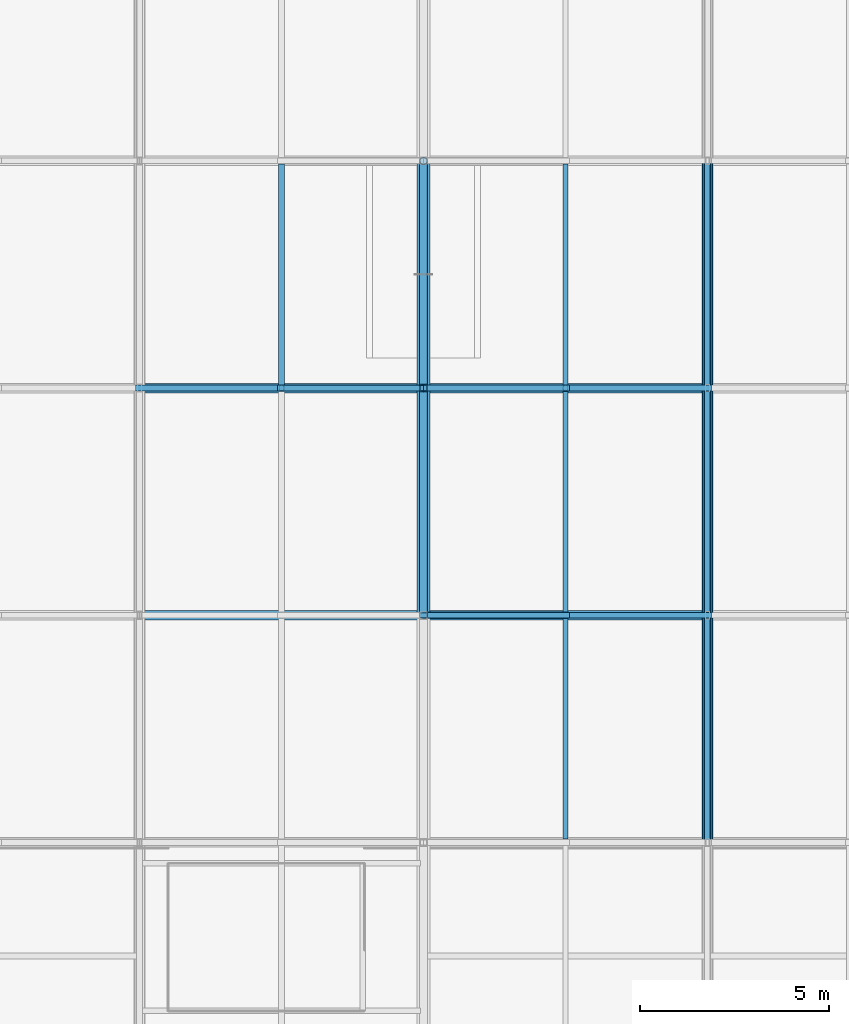
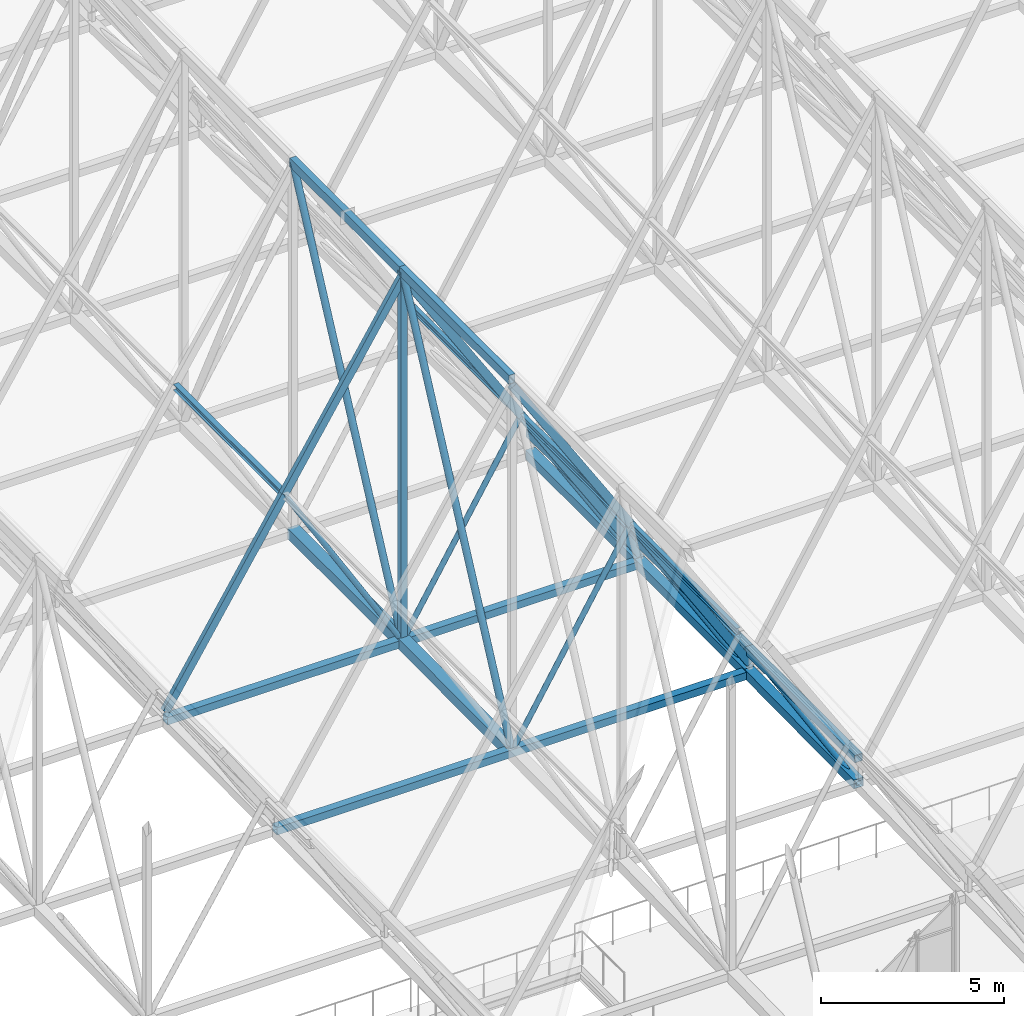
# One storey, part 92 of 324: 27 members, 4 beams.
"""IFC4 building model written with IfcOpenShell, lengths in metres."""

from ifc_helpers import new_model, si_unit, direction, frame, origin, origin_2d, place, context, subcontext, project, spatial, hollow_rectangle, hollow_circle, i_section, extrude, material, material_profile, profile_set, type_object, element, save


model = new_model("IFC4")

# Units and contexts
model_context = context("Model", 3, precision=1e-05, world=origin(), true_north=direction((0.0, 1.0)))
body_context = subcontext(model_context, "Body", "Model", "MODEL_VIEW")
ifc_project = project(units=[si_unit("LENGTHUNIT", "METRE"), si_unit("AREAUNIT", "SQUARE_METRE"), si_unit("VOLUMEUNIT", "CUBIC_METRE"), si_unit("PLANEANGLEUNIT", "RADIAN"), si_unit("MASSUNIT", "GRAM", prefix="KILO")], contexts=[model_context])

# Site, building, storey
site_placement = place(None, origin())
site = spatial("IfcSite", under=ifc_project, at=site_placement, CompositionType="ELEMENT")
building_placement = place(site_placement, origin())
building = spatial("IfcBuilding", under=site, at=building_placement, Name="Solvenia Promenade Tram Depot", CompositionType="ELEMENT")
storey_placement = place(building_placement, frame((0.0, 0.0, 4.5)))
storey = spatial("IfcBuildingStorey", under=building, at=storey_placement, Name="L01", CompositionType="ELEMENT", Elevation=4.5)

# Members
ifc_material_1 = material(Name="Structural steel ASTM A500 Gr. C", Category="steel")
ifc_material_profile_1 = material_profile(ifc_material_1, hollow_circle(Radius=0.109619140625, WallThickness=0.008056640625, at=origin_2d()), Name="CHS219.1x8", Category="steel")
ifc_profile_set_1 = profile_set([ifc_material_profile_1], Name="Structural steel ASTM A500 Gr. C")
member_type_1 = type_object("IfcMemberType", Name="Brace-CHS219x8", PredefinedType="BRACE", material=ifc_profile_set_1)
member_1_placement = place(storey_placement, frame((22.5, 84.0, 2.614013671875), z_axis=(0.0, 0.43482130343, 0.900516759468), x_axis=(-1.0, 0.0, 0.0)))
element("IfcMember", 1, at=member_1_placement, inside=storey, type_object=member_type_1, Name="Arched Truss T04 Web Diagonal S04", PredefinedType="BRACE", context=body_context, shape_type="SweptSolid", body=[
    extrude(hollow_circle(Radius=0.109619140625, WallThickness=0.008056640625, at=origin_2d()), origin(), (0.0, 0.0, 1.0), 13.798828125),
])
member_2_placement = place(storey_placement, frame((22.5, 90.0, 2.656005859375), z_axis=(0.0, 0.436015794582, 0.899939012864), x_axis=(-1.0, 0.0, 0.0)))
element("IfcMember", 2, at=member_2_placement, inside=storey, type_object=member_type_1, Name="Arched Truss T04 Web Diagonal S05", PredefinedType="BRACE", context=body_context, shape_type="SweptSolid", body=[
    extrude(hollow_circle(Radius=0.109619140625, WallThickness=0.008056640625, at=origin_2d()), origin(), (0.0, 0.0, 1.0), 13.760986328125),
])
ifc_material_profile_2 = material_profile(ifc_material_1, hollow_rectangle(XDim=0.14990234375, YDim=0.25, WallThickness=0.010009765625, at=origin_2d()), Name="HSS250x150x10", Category="steel")
ifc_profile_set_2 = profile_set([ifc_material_profile_2], Name="Structural steel ASTM A500 Gr. C")
member_type_2 = type_object("IfcMemberType", Name="Chord-HSS250x150x10", PredefinedType="CHORD", material=ifc_profile_set_2)
member_3_placement = place(storey_placement, frame((22.5, 84.0, 14.83251953125), z_axis=(0.533522444929, 0.0, -0.845785907164), x_axis=(0.0, 1.0, 0.0)))
element("IfcMember", 3, at=member_3_placement, inside=storey, type_object=member_type_2, Name="Zigzag Gable 02 East Upper Rafter", PredefinedType="CHORD", context=body_context, shape_type="SweptSolid", body=[
    extrude(hollow_rectangle(XDim=0.14990234375, YDim=0.25, WallThickness=0.010009765625, at=origin_2d()), origin(), (0.0, 0.0, 1.0), 7.02880859375),
])
for number, where, z_axis, x_axis, name in (
    (4, (26.25, 84.0, 8.8876953125), (0.533506771487, 0.0, -0.845795793781), (0.0, 1.0, 0.0), "Zigzag Gable 02 East Lower Rafter"),
    (5, (15.0, 90.0, 2.942626953125), (0.533506771487, 0.0, 0.845795793781), (0.0, 1.0, 0.0), "Zigzag Gable 02 West Lower Rafter"),
):
    element("IfcMember", number, at=place(storey_placement, frame(where, z_axis=z_axis, x_axis=x_axis)), inside=storey, type_object=member_type_2, Name=name, PredefinedType="CHORD", context=body_context, shape_type="SweptSolid", body=[
        extrude(hollow_rectangle(XDim=0.14990234375, YDim=0.25, WallThickness=0.010009765625, at=origin_2d()), origin(), (0.0, 0.0, 1.0), 7.029052734375),
    ])
for number, where, z_axis, x_axis, name in (
    (6, (18.75, 90.0, 8.8876953125), (0.533522444929, 0.0, 0.845785907164), (0.0, 1.0, 0.0), "Zigzag Gable 02 West Upper Rafter"),
    (7, (22.5, 90.0, 14.83251953125), (0.533522444929, 0.0, -0.845785907164), (0.0, 1.0, 0.0), "Zigzag Gable 02 East Upper Rafter"),
):
    element("IfcMember", number, at=place(storey_placement, frame(where, z_axis=z_axis, x_axis=x_axis)), inside=storey, type_object=member_type_2, Name=name, PredefinedType="CHORD", context=body_context, shape_type="SweptSolid", body=[
        extrude(hollow_rectangle(XDim=0.14990234375, YDim=0.25, WallThickness=0.010009765625, at=origin_2d()), origin(), (0.0, 0.0, 1.0), 7.02880859375),
    ])
member_4_placement = place(storey_placement, frame((26.25, 90.0, 8.8876953125), z_axis=(0.533506771487, 0.0, -0.845795793781), x_axis=(0.0, 1.0, 0.0)))
element("IfcMember", 8, at=member_4_placement, inside=storey, type_object=member_type_2, Name="Zigzag Gable 02 East Lower Rafter", PredefinedType="CHORD", context=body_context, shape_type="SweptSolid", body=[
    extrude(hollow_rectangle(XDim=0.14990234375, YDim=0.25, WallThickness=0.010009765625, at=origin_2d()), origin(), (0.0, 0.0, 1.0), 7.029052734375),
])
ifc_material_profile_3 = material_profile(ifc_material_1, hollow_rectangle(XDim=0.25, YDim=0.25, WallThickness=0.010009765625, at=origin_2d()), Name="HSS250x250x10", Category="steel")
ifc_profile_set_3 = profile_set([ifc_material_profile_3], Name="Structural steel ASTM A500 Gr. C")
member_type_3 = type_object("IfcMemberType", Name="Chord-HSS250x250x10", PredefinedType="CHORD", material=ifc_profile_set_3)
for number, where, z_axis, x_axis, name in (
    (9, (30.0, 78.0, 3.3798828125), (0.0, 1.0, 0.0), (-1.0, 0.0, 0.0), "Arched Truss T05 Upper Chord S03"),
    (10, (30.0, 84.0, 3.3798828125), (0.0, 1.0, 0.0), (-1.0, 0.0, 0.0), "Arched Truss T05 Upper Chord S04"),
    (11, (30.0, 90.0, 3.3798828125), (0.0, 1.0, 0.0), (-1.0, 0.0, 0.0), "Arched Truss T05 Upper Chord S05"),
):
    element("IfcMember", number, at=place(storey_placement, frame(where, z_axis=z_axis, x_axis=x_axis)), inside=storey, type_object=member_type_3, Name=name, PredefinedType="CHORD", context=body_context, shape_type="SweptSolid", body=[
        extrude(hollow_rectangle(XDim=0.25, YDim=0.25, WallThickness=0.010009765625, at=origin_2d()), origin(), (0.0, 0.0, 1.0), 6.0),
    ])
for number, where, z_axis, x_axis, name in (
    (12, (15.0, 84.0, 2.614013671875), (1.0, 0.0, 0.0), (0.0, 1.0, 0.0), "Bottom-Chord Catenary Lateral Tie 012"),
    (13, (15.0, 90.0, 2.656005859375), (1.0, 0.0, 0.0), (0.0, 1.0, 0.0), "Bottom-Chord Catenary Lateral Tie 013"),
):
    element("IfcMember", number, at=place(storey_placement, frame(where, z_axis=z_axis, x_axis=x_axis)), inside=storey, type_object=member_type_3, Name=name, PredefinedType="CHORD", context=body_context, shape_type="SweptSolid", body=[
        extrude(hollow_rectangle(XDim=0.25, YDim=0.25, WallThickness=0.010009765625, at=origin_2d()), origin(), (0.0, 0.0, 1.0), 15.0),
    ])
ifc_material_profile_4 = material_profile(ifc_material_1, hollow_rectangle(XDim=0.199951171875, YDim=0.300048828125, WallThickness=0.012451171875, at=origin_2d()), Name="HSS300x200x12.5", Category="steel")
ifc_profile_set_4 = profile_set([ifc_material_profile_4], Name="Structural steel ASTM A500 Gr. C")
member_type_4 = type_object("IfcMemberType", Name="Chord-HSS300x200x12", PredefinedType="CHORD", material=ifc_profile_set_4)
for number, where, z_axis, x_axis, name in (
    (14, (22.5, 84.0, 15.0400390625), (0.0, 1.0, 0.0), (-1.0, 0.0, 0.0), "Arched Truss T04 Upper Chord S04"),
    (15, (22.5, 90.0, 15.0400390625), (0.0, 1.0, 0.0), (-1.0, 0.0, 0.0), "Arched Truss T04 Upper Chord S05"),
):
    element("IfcMember", number, at=place(storey_placement, frame(where, z_axis=z_axis, x_axis=x_axis)), inside=storey, type_object=member_type_4, Name=name, PredefinedType="CHORD", context=body_context, shape_type="SweptSolid", body=[
        extrude(hollow_rectangle(XDim=0.199951171875, YDim=0.300048828125, WallThickness=0.012451171875, at=origin_2d()), origin(), (0.0, 0.0, 1.0), 6.0),
    ])
ifc_material_profile_5 = material_profile(ifc_material_1, hollow_rectangle(XDim=0.300048828125, YDim=0.300048828125, WallThickness=0.012451171875, at=origin_2d()), Name="HSS300x300x12.5", Category="steel")
ifc_profile_set_5 = profile_set([ifc_material_profile_5], Name="Structural steel ASTM A500 Gr. C")
member_type_5 = type_object("IfcMemberType", Name="Chord-HSS300x300x12", PredefinedType="CHORD", material=ifc_profile_set_5)
member_5_placement = place(storey_placement, frame((30.0, 78.0, 2.5439453125), z_axis=(0.0, 0.999931818432, 0.011677263667), x_axis=(-1.0, 0.0, 0.0)))
element("IfcMember", 16, at=member_5_placement, inside=storey, type_object=member_type_5, Name="Arched Truss T05 Bottom Chord S03", PredefinedType="CHORD", context=body_context, shape_type="SweptSolid", body=[
    extrude(hollow_rectangle(XDim=0.300048828125, YDim=0.300048828125, WallThickness=0.012451171875, at=origin_2d()), origin(), (0.0, 0.0, 1.0), 6.00048828125),
])
member_6_placement = place(storey_placement, frame((30.0, 84.0, 2.614013671875), z_axis=(0.0, 0.999975510013, 0.006998526519), x_axis=(-1.0, 0.0, 0.0)))
element("IfcMember", 17, at=member_6_placement, inside=storey, type_object=member_type_5, Name="Arched Truss T05 Bottom Chord S04", PredefinedType="CHORD", context=body_context, shape_type="SweptSolid", body=[
    extrude(hollow_rectangle(XDim=0.300048828125, YDim=0.300048828125, WallThickness=0.012451171875, at=origin_2d()), origin(), (0.0, 0.0, 1.0), 6.000244140625),
])
member_7_placement = place(storey_placement, frame((30.0, 90.0, 2.656005859375), z_axis=(0.0, 0.999997310351, 0.002319329699), x_axis=(-1.0, 0.0, 0.0)))
element("IfcMember", 18, at=member_7_placement, inside=storey, type_object=member_type_5, Name="Arched Truss T05 Bottom Chord S05", PredefinedType="CHORD", context=body_context, shape_type="SweptSolid", body=[
    extrude(hollow_rectangle(XDim=0.300048828125, YDim=0.300048828125, WallThickness=0.012451171875, at=origin_2d()), origin(), (0.0, 0.0, 1.0), 6.0),
])
ifc_material_profile_6 = material_profile(ifc_material_1, hollow_rectangle(XDim=0.35009765625, YDim=0.35009765625, WallThickness=0.01611328125, at=origin_2d()), Name="HSS350x350x16", Category="steel")
ifc_profile_set_6 = profile_set([ifc_material_profile_6], Name="Structural steel ASTM A500 Gr. C")
member_type_6 = type_object("IfcMemberType", Name="Chord-HSS350x350x16", PredefinedType="CHORD", material=ifc_profile_set_6)
member_8_placement = place(storey_placement, frame((22.5, 84.0, 2.614013671875), z_axis=(0.0, 0.999975510013, 0.006998526519), x_axis=(-1.0, 0.0, 0.0)))
element("IfcMember", 19, at=member_8_placement, inside=storey, type_object=member_type_6, Name="Arched Truss T04 Bottom Chord S04", PredefinedType="CHORD", context=body_context, shape_type="SweptSolid", body=[
    extrude(hollow_rectangle(XDim=0.35009765625, YDim=0.35009765625, WallThickness=0.01611328125, at=origin_2d()), origin(), (0.0, 0.0, 1.0), 6.000244140625),
])
member_9_placement = place(storey_placement, frame((22.5, 90.0, 2.656005859375), z_axis=(0.0, 0.999997310351, 0.002319329699), x_axis=(-1.0, 0.0, 0.0)))
element("IfcMember", 20, at=member_9_placement, inside=storey, type_object=member_type_6, Name="Arched Truss T04 Bottom Chord S05", PredefinedType="CHORD", context=body_context, shape_type="SweptSolid", body=[
    extrude(hollow_rectangle(XDim=0.35009765625, YDim=0.35009765625, WallThickness=0.01611328125, at=origin_2d()), origin(), (0.0, 0.0, 1.0), 6.0),
])
ifc_material_profile_7 = material_profile(ifc_material_1, hollow_rectangle(XDim=0.199951171875, YDim=0.199951171875, WallThickness=0.010009765625, at=origin_2d()), Name="HSS200x200x10", Category="steel")
ifc_profile_set_7 = profile_set([ifc_material_profile_7], Name="Structural steel ASTM A500 Gr. C")
member_type_7 = type_object("IfcMemberType", Name="Post-HSS200x200x10", PredefinedType="POST", material=ifc_profile_set_7)
member_10_placement = place(storey_placement, frame((22.5, 90.0, 2.656005859375), z_axis=(0.0, 0.0, 1.0), x_axis=(1.0, 0.0, 0.0)))
element("IfcMember", 21, at=member_10_placement, inside=storey, type_object=member_type_7, Name="Arched Truss T04 Web Post S04", PredefinedType="POST", context=body_context, shape_type="SweptSolid", body=[
    extrude(hollow_rectangle(XDim=0.199951171875, YDim=0.199951171875, WallThickness=0.010009765625, at=origin_2d()), origin(), (0.0, 0.0, 1.0), 12.384033203125),
])

# Beams
ifc_material_2 = material(Name="Structural steel ASTM A992 Gr. 50", Category="steel")
ifc_material_profile_8 = material_profile(ifc_material_2, i_section(OverallWidth=0.133056640625, OverallDepth=0.20703125, WebThickness=0.005859375, FlangeThickness=0.00830078125, FilletRadius=0.009033203125, at=origin_2d()), Name="W200x27", Category="steel")
ifc_profile_set_8 = profile_set([ifc_material_profile_8], Name="Structural steel ASTM A992 Gr. 50")
beam_type_1 = type_object("IfcBeamType", Name="Purlin-W200x27", PredefinedType="USERDEFINED", material=ifc_profile_set_8)
for number, where, z_axis, x_axis, name in (
    (22, (26.25, 78.0849609375, 8.8857421875), (0.0, 1.0, 0.0), (-1.0, 0.0, 0.0), "Gable Roof Purlin E-0026"),
    (23, (26.25, 84.0849609375, 8.8857421875), (0.0, 1.0, 0.0), (-1.0, 0.0, 0.0), "Gable Roof Purlin E-0028"),
    (24, (26.25, 90.0849609375, 8.8857421875), (0.0, 1.0, 0.0), (-1.0, 0.0, 0.0), "Gable Roof Purlin E-0030"),
):
    element("IfcBeam", number, at=place(storey_placement, frame(where, z_axis=z_axis, x_axis=x_axis)), inside=storey, type_object=beam_type_1, Name=name, ObjectType="PURLIN", PredefinedType="USERDEFINED", context=body_context, shape_type="SweptSolid", body=[
        extrude(i_section(OverallWidth=0.133056640625, OverallDepth=0.20703125, WebThickness=0.005859375, FlangeThickness=0.00830078125, FilletRadius=0.009033203125, at=origin_2d()), origin(), (0.0, 0.0, 1.0), 5.830078125),
    ])
ifc_material_profile_9 = material_profile(ifc_material_2, i_section(OverallWidth=0.1650390625, OverallDepth=0.200927734375, WebThickness=0.006103515625, FlangeThickness=0.01025390625, FilletRadius=0.010009765625, at=origin_2d()), Name="W200x36", Category="steel")
ifc_profile_set_9 = profile_set([ifc_material_profile_9], Name="Structural steel ASTM A992 Gr. 50")
beam_type_2 = type_object("IfcBeamType", Name="Purlin-W200x36", PredefinedType="USERDEFINED", material=ifc_profile_set_9)
beam_placement = place(storey_placement, frame((18.75, 90.0849609375, 8.8857421875), z_axis=(0.0, 1.0, 0.0), x_axis=(-1.0, 0.0, 0.0)))
element("IfcBeam", 25, at=beam_placement, inside=storey, type_object=beam_type_2, Name="Gable Roof Purlin W-0029", ObjectType="PURLIN", PredefinedType="USERDEFINED", context=body_context, shape_type="SweptSolid", body=[
    extrude(i_section(OverallWidth=0.1650390625, OverallDepth=0.200927734375, WebThickness=0.006103515625, FlangeThickness=0.01025390625, FilletRadius=0.010009765625, at=origin_2d()), origin(), (0.0, 0.0, 1.0), 5.830078125),
])

# Members
ifc_material_profile_10 = material_profile(ifc_material_1, hollow_circle(Radius=0.084228515625, WallThickness=0.008056640625, at=origin_2d()), Name="CHS168.3x8", Category="steel")
ifc_profile_set_10 = profile_set([ifc_material_profile_10], Name="Structural steel ASTM A500 Gr. C")
member_type_8 = type_object("IfcMemberType", Name="WebDiag-CHS168x8", PredefinedType="BRACE", material=ifc_profile_set_10)
member_11_placement = place(storey_placement, frame((30.0, 78.0, 2.5439453125), z_axis=(0.0, 0.990433608353, 0.13799009908), x_axis=(-1.0, 0.0, 0.0)))
element("IfcMember", 26, at=member_11_placement, inside=storey, type_object=member_type_8, Name="Arched Truss T05 Web Diagonal S03", PredefinedType="BRACE", context=body_context, shape_type="SweptSolid", body=[
    extrude(hollow_circle(Radius=0.084228515625, WallThickness=0.008056640625, at=origin_2d()), origin(), (0.0, 0.0, 1.0), 6.057861328125),
])
member_12_placement = place(storey_placement, frame((30.0, 84.0, 2.614013671875), z_axis=(0.0, 0.991951613347, 0.126617521609), x_axis=(-1.0, 0.0, 0.0)))
element("IfcMember", 27, at=member_12_placement, inside=storey, type_object=member_type_8, Name="Arched Truss T05 Web Diagonal S04", PredefinedType="BRACE", context=body_context, shape_type="SweptSolid", body=[
    extrude(hollow_circle(Radius=0.084228515625, WallThickness=0.008056640625, at=origin_2d()), origin(), (0.0, 0.0, 1.0), 6.048583984375),
])
member_13_placement = place(storey_placement, frame((30.0, 90.0, 2.656005859375), z_axis=(0.0, 0.992800749036, 0.119777596879), x_axis=(-1.0, 0.0, 0.0)))
element("IfcMember", 28, at=member_13_placement, inside=storey, type_object=member_type_8, Name="Arched Truss T05 Web Diagonal S05", PredefinedType="BRACE", context=body_context, shape_type="SweptSolid", body=[
    extrude(hollow_circle(Radius=0.084228515625, WallThickness=0.008056640625, at=origin_2d()), origin(), (0.0, 0.0, 1.0), 6.04345703125),
])
member_14_placement = place(storey_placement, frame((22.5, 84.0, 2.614013671875), z_axis=(0.513065601132, 0.0, 0.858349397935), x_axis=(0.0, 1.0, 0.0)))
element("IfcMember", 29, at=member_14_placement, inside=storey, type_object=member_type_8, Name="Zigzag Gable 02 East Knee Strut", PredefinedType="BRACE", context=body_context, shape_type="SweptSolid", body=[
    extrude(hollow_circle(Radius=0.084228515625, WallThickness=0.008056640625, at=origin_2d()), origin(), (0.0, 0.0, 1.0), 7.30908203125),
])
for number, where, z_axis, x_axis, name in (
    (30, (22.5, 90.0, 2.656005859375), (-0.515606033045, 0.0, 0.856825780826), (0.0, -1.0, 0.0), "Zigzag Gable 02 West Knee Strut"),
    (31, (22.5, 90.0, 2.656005859375), (0.515606033045, 0.0, 0.856825780826), (0.0, 1.0, 0.0), "Zigzag Gable 02 East Knee Strut"),
):
    element("IfcMember", number, at=place(storey_placement, frame(where, z_axis=z_axis, x_axis=x_axis)), inside=storey, type_object=member_type_8, Name=name, PredefinedType="BRACE", context=body_context, shape_type="SweptSolid", body=[
        extrude(hollow_circle(Radius=0.084228515625, WallThickness=0.008056640625, at=origin_2d()), origin(), (0.0, 0.0, 1.0), 7.27294921875),
    ])

save(model, "model.ifc")
